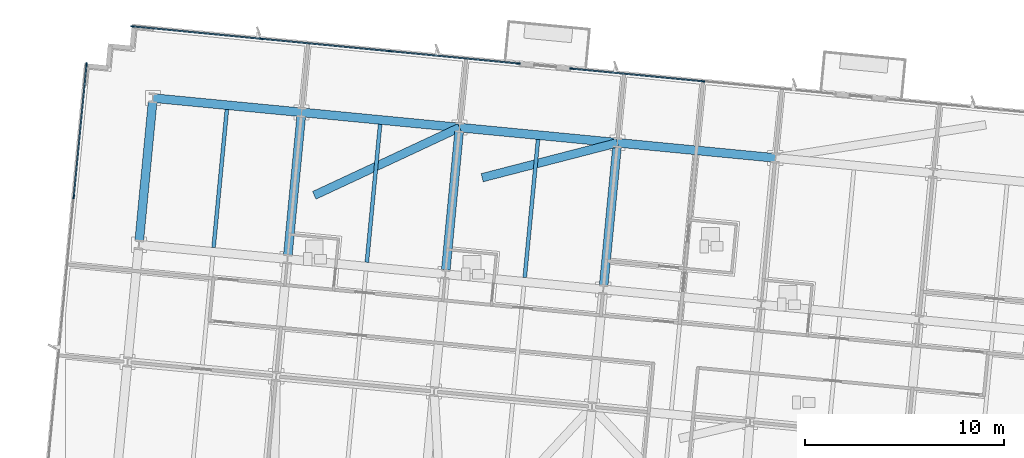
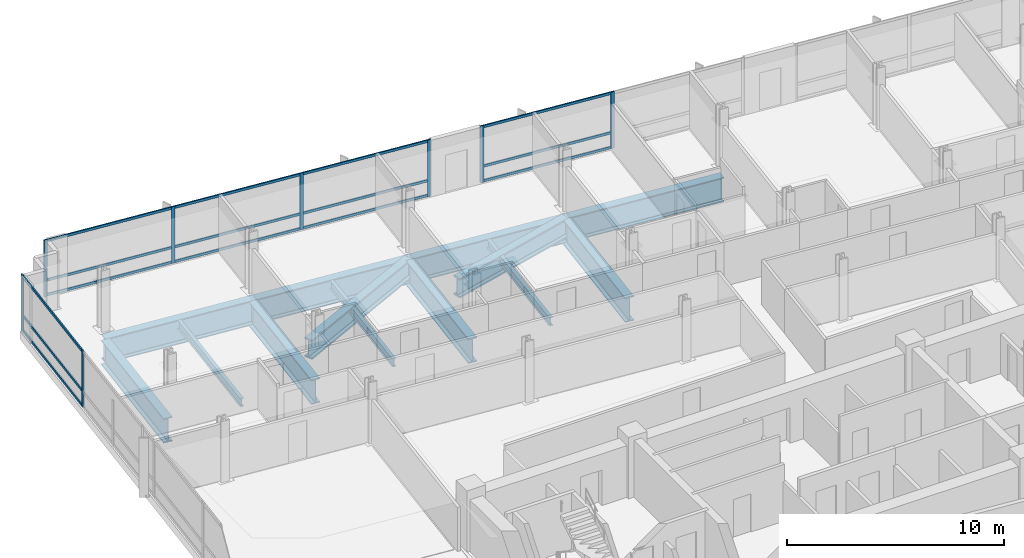
# One storey, part 7 of 18: 23 members, 13 beams, 3 elements without a shape of their own.
"""IFC4 building model written with IfcOpenShell, lengths in metres."""

import ifcopenshell
import ifcopenshell.guid

model = None  # the IFC model being written
_history = None  # IfcOwnerHistory: only IFC2X3 demands one
_inside = {}  # id of a spatial element -> (the spatial element, [elements in it])
_under = {}  # id of a project, library or spatial element -> (it, [spatial elements below it])
_declared = {}  # id of a project -> (the project, [libraries it declares])
_typed = {}  # id of a type object -> (the type object, [elements of that type])
_made_of = {}  # id of a material, layer set ... -> (it, [elements and type objects made of it])


def new_model(schema):
    """Start an empty IFC model of exactly this schema.

    Asked for "IFC4X3", IfcOpenShell would pick the latest addendum, in which some entities
    have other attributes; the version numbers below select the first issue.
    IFC2X3 requires an IfcOwnerHistory on every rooted entity: one is made here for all.
    """
    global model, _history
    if schema == "IFC4X3":
        model = ifcopenshell.file(schema_version=(4, 3, 0, 0))
    else:
        model = ifcopenshell.file(schema=schema)
    _inside.clear()
    _under.clear()
    _declared.clear()
    _typed.clear()
    _made_of.clear()
    _history = None
    if model.schema == "IFC2X3":
        org = make("IfcOrganization", Name="unknown")
        user = make(
            "IfcPersonAndOrganization",
            ThePerson=make("IfcPerson", FamilyName="unknown"),
            TheOrganization=org,
        )
        app = make(
            "IfcApplication",
            ApplicationDeveloper=org,
            Version="unknown",
            ApplicationFullName="unknown",
            ApplicationIdentifier="unknown",
        )
        _history = make(
            "IfcOwnerHistory",
            OwningUser=user,
            OwningApplication=app,
            ChangeAction="ADDED",
            CreationDate=0,
        )
    return model


def make(cls, **values):
    """One entity of the class cls with the attributes given. An attribute that is None is left unset."""
    return model.create_entity(
        cls, **{name: value for name, value in values.items() if value is not None}
    )


def rooted(cls, **values):
    """An entity with a GlobalId (a new one), such as an element, a storey or a relation."""
    return make(cls, GlobalId=ifcopenshell.guid.new(), OwnerHistory=_history, **values)


def si_unit(unit_type, name, prefix=None):
    """IfcSIUnit, for example si_unit("LENGTHUNIT", "METRE", prefix="MILLI")."""
    return make("IfcSIUnit", UnitType=unit_type, Prefix=prefix, Name=name)


def assignment(units):
    """IfcUnitAssignment: the units of a project."""
    return None if units is None else make("IfcUnitAssignment", Units=units)


def point(xyz):
    """IfcCartesianPoint."""
    return None if xyz is None else make("IfcCartesianPoint", Coordinates=xyz)


def direction(xyz):
    """IfcDirection."""
    return None if xyz is None else make("IfcDirection", DirectionRatios=xyz)


def frame(location, z_axis=None, x_axis=None):
    """IfcAxis2Placement3D, a coordinate frame: its origin and axes. An axis left out is left unset."""
    return make(
        "IfcAxis2Placement3D",
        Location=point(location),
        Axis=direction(z_axis),
        RefDirection=direction(x_axis),
    )


def frame_2d(location, x_axis=None):
    """IfcAxis2Placement2D, a coordinate frame in the plane: its origin and x axis."""
    return make(
        "IfcAxis2Placement2D", Location=point(location), RefDirection=direction(x_axis)
    )


def origin():
    """The frame at (0, 0, 0) with its axes left unset."""
    return frame((0.0, 0.0, 0.0))


def origin_2d():
    """The frame at (0, 0) in the plane with its x axis left unset."""
    return frame_2d((0.0, 0.0))


def place(relative_to, where):
    """IfcLocalPlacement: puts the frame where relative to a parent placement (None: the world)."""
    return make(
        "IfcLocalPlacement", PlacementRelTo=relative_to, RelativePlacement=where
    )


def context(
    kind, dimensions, precision=None, world=None, true_north=None, identifier=None
):
    """IfcGeometricRepresentationContext, for example the 3D "Model" context."""
    return make(
        "IfcGeometricRepresentationContext",
        ContextIdentifier=identifier,
        ContextType=kind,
        CoordinateSpaceDimension=dimensions,
        Precision=precision,
        WorldCoordinateSystem=world,
        TrueNorth=true_north,
    )


def subcontext(parent, identifier, kind, view, scale=None):
    """IfcGeometricRepresentationSubContext, for example "Body" below "Model"."""
    return make(
        "IfcGeometricRepresentationSubContext",
        ContextIdentifier=identifier,
        ContextType=kind,
        ParentContext=parent,
        TargetScale=scale,
        TargetView=view,
    )


def project(units=None, contexts=None):
    """IfcProject with its units and contexts."""
    return rooted(
        "IfcProject",
        Name="project",
        RepresentationContexts=contexts,
        UnitsInContext=assignment(units),
    )


def spatial(cls, under=None, at=None, **own):
    """A site, building, storey or space (cls), placed at a placement, below another one or the project."""
    s = rooted(cls, ObjectPlacement=at, **own)
    if under is not None:
        _under.setdefault(under.id(), (under, []))[1].append(s)
    return s


def profile(cls, at=None, kind="AREA", **sizes):
    """A parametric profile (cls). Its sizes go by their IFC names, for example OverallWidth=200.0."""
    return make(cls, ProfileType=kind, Position=at, **sizes)


def rectangle(**sizes):
    """IfcRectangleProfileDef."""
    return profile("IfcRectangleProfileDef", **sizes)


def i_section(**sizes):
    """IfcIShapeProfileDef."""
    return profile("IfcIShapeProfileDef", **sizes)


def extrude(swept, where, along, depth):
    """IfcExtrudedAreaSolid: the profile swept, set in the frame where, extruded along a direction by depth."""
    return make(
        "IfcExtrudedAreaSolid",
        SweptArea=swept,
        Position=where,
        ExtrudedDirection=direction(along),
        Depth=depth,
    )


def shape(context_of_items, identifier, shape_type, items):
    """IfcShapeRepresentation: the items that make up one representation, for example the "Body"."""
    return make(
        "IfcShapeRepresentation",
        ContextOfItems=context_of_items,
        RepresentationIdentifier=identifier,
        RepresentationType=shape_type,
        Items=items,
    )


def material(Name=None, Category=None):
    """IfcMaterial."""
    return make("IfcMaterial", Name=Name, Category=Category)


def material_profile(
    of_material, cross_section, Name=None, Category=None, Priority=None
):
    """IfcMaterialProfile: a cross section and its material."""
    return make(
        "IfcMaterialProfile",
        Name=Name,
        Material=of_material,
        Profile=cross_section,
        Priority=Priority,
        Category=Category,
    )


def profile_set(profiles, Name=None, composite=None):
    """IfcMaterialProfileSet."""
    return make(
        "IfcMaterialProfileSet",
        Name=Name,
        MaterialProfiles=profiles,
        CompositeProfile=composite,
    )


def made_of(thing, what):
    """Note that an element or type object is made of a material, layer set ...; save() writes the relation."""
    if what is not None:
        _made_of.setdefault(what.id(), (what, []))[1].append(thing)
    return thing


def type_object(cls, material=None, **own):
    """A type object (cls), such as IfcWallType, which elements share."""
    return made_of(rooted(cls, **own), material)


def element(
    cls,
    number,
    at=None,
    inside=None,
    cuts=None,
    type_object=None,
    material=None,
    context=None,
    identifier="Body",
    shape_type=None,
    held_by="IfcProductDefinitionShape",
    body=None,
    shapes=None,
    **own,
):
    """One element of the class cls, such as IfcWall. Its Tag is "e" and its number.

    at: its placement. inside: the storey or other place that contains it. cuts: it is an
    opening in that element (IfcRelVoidsElement). A single representation is given by context,
    identifier, shape_type and body (its items); several are given by shapes. held_by: the class
    of the entity that holds the representations. save() writes the other relations.
    """
    e = rooted(cls, Tag="e%d" % number, ObjectPlacement=at, **own)
    if body is not None:
        shapes = [shape(context, identifier, shape_type, body)]
    if shapes is not None:
        e.Representation = make(held_by, Representations=shapes)
    if inside is not None:
        _inside.setdefault(inside.id(), (inside, []))[1].append(e)
    if cuts is not None:
        rooted(
            "IfcRelVoidsElement", RelatingBuildingElement=cuts, RelatedOpeningElement=e
        )
    if type_object is not None:
        _typed.setdefault(type_object.id(), (type_object, []))[1].append(e)
    return made_of(e, material)


def aggregate(whole, parts):
    """IfcRelAggregates: a whole, such as a stair, and the parts it consists of."""
    return rooted("IfcRelAggregates", RelatingObject=whole, RelatedObjects=parts)


def save(model, path):
    """Write the relations noted so far, then the file.

    IfcRelAggregates (storeys below a building ...), IfcRelContainedInSpatialStructure (elements
    in a storey), IfcRelDefinesByType, IfcRelAssociatesMaterial and IfcRelDeclares: one each for
    every whole, place, type object, material and project.
    """
    for whole, parts in _under.values():
        aggregate(whole, parts)
    for where, things in _inside.values():
        rooted(
            "IfcRelContainedInSpatialStructure",
            RelatedElements=things,
            RelatingStructure=where,
        )
    for kind, things in _typed.values():
        rooted("IfcRelDefinesByType", RelatedObjects=things, RelatingType=kind)
    for what, things in _made_of.values():
        rooted("IfcRelAssociatesMaterial", RelatedObjects=things, RelatingMaterial=what)
    for by, libraries in _declared.values():
        rooted("IfcRelDeclares", RelatingContext=by, RelatedDefinitions=libraries)
    model.write(path)


model = new_model("IFC4")

# Units and contexts
model_context = context("Model", 3, precision=1e-05, world=origin(), true_north=direction((0.0, 1.0)))
body_context = subcontext(model_context, "Body", "Model", "MODEL_VIEW")
ifc_project = project(units=[si_unit("LENGTHUNIT", "METRE"), si_unit("AREAUNIT", "SQUARE_METRE"), si_unit("VOLUMEUNIT", "CUBIC_METRE"), si_unit("PLANEANGLEUNIT", "RADIAN"), si_unit("MASSUNIT", "GRAM", prefix="KILO")], contexts=[model_context])

# Site, building, storey
site_placement = place(None, origin())
site = spatial("IfcSite", under=ifc_project, at=site_placement, CompositionType="ELEMENT")
building_placement = place(site_placement, origin())
building = spatial("IfcBuilding", under=site, at=building_placement, Name="Solmavex Isthmus Hotel", CompositionType="ELEMENT")
storey_placement = place(building_placement, frame((0.0, 0.0, 135.89990234375)))
storey = spatial("IfcBuildingStorey", under=building, at=storey_placement, Name="L36", CompositionType="ELEMENT", Elevation=135.89990234375)

# Beams
ifc_material_1 = material(Name="Steel ASTM A992 Grade 50", Category="steel")
ifc_material_profile_1 = material_profile(ifc_material_1, i_section(OverallWidth=0.1904296875, OverallDepth=0.456787109375, WebThickness=0.009033203125, FlangeThickness=0.014404296875, FilletRadius=0.0126953125, at=origin_2d()), Name="W18X50")
ifc_profile_set_1 = profile_set([ifc_material_profile_1], Name="Steel ASTM A992 Grade 50")
beam_type_1 = type_object("IfcBeamType", Name="BM-BJ-W18X50", PredefinedType="JOIST", material=ifc_profile_set_1)
beam_1_placement = place(storey_placement, frame((-18.976806640625, 13.47412109375, -0.678466796875), z_axis=(0.095838209406, 0.995396924658, 0.0), x_axis=(-0.995396924658, 0.095838209406, 0.0)))
element("IfcBeam", 1, at=beam_1_placement, inside=storey, type_object=beam_type_1, Name="Secondary Floor Joist L36-J03", PredefinedType="JOIST", context=body_context, shape_type="SweptSolid", body=[
    extrude(i_section(OverallWidth=0.1904296875, OverallDepth=0.456787109375, WebThickness=0.009033203125, FlangeThickness=0.014404296875, FilletRadius=0.0126953125, at=origin_2d()), origin(), (0.0, 0.0, 1.0), 6.951904296875),
])
beam_2_placement = place(storey_placement, frame((-11.29052734375, 12.73388671875, -0.678466796875), z_axis=(0.095869653831, 0.995393896643, 0.0), x_axis=(-0.995393896643, 0.095869653831, 0.0)))
element("IfcBeam", 2, at=beam_2_placement, inside=storey, type_object=beam_type_1, Name="Secondary Floor Joist L36-J06", PredefinedType="JOIST", context=body_context, shape_type="SweptSolid", body=[
    extrude(i_section(OverallWidth=0.1904296875, OverallDepth=0.456787109375, WebThickness=0.009033203125, FlangeThickness=0.014404296875, FilletRadius=0.0126953125, at=origin_2d()), origin(), (0.0, 0.0, 1.0), 6.9521484375),
])
beam_3_placement = place(storey_placement, frame((-3.37109375, 11.971435546875, -0.678466796875), z_axis=(0.095838209406, 0.995396924658, 0.0), x_axis=(-0.995396924658, 0.095838209406, 0.0)))
element("IfcBeam", 3, at=beam_3_placement, inside=storey, type_object=beam_type_1, Name="Secondary Floor Joist L36-J09", PredefinedType="JOIST", context=body_context, shape_type="SweptSolid", body=[
    extrude(i_section(OverallWidth=0.1904296875, OverallDepth=0.456787109375, WebThickness=0.009033203125, FlangeThickness=0.014404296875, FilletRadius=0.0126953125, at=origin_2d()), origin(), (0.0, 0.0, 1.0), 6.951904296875),
])
ifc_material_2 = material(Name="Steel ASTM A913 Grade 65", Category="steel")
ifc_material_profile_2 = material_profile(ifc_material_2, i_section(OverallWidth=0.42431640625, OverallDepth=1.09228515625, WebThickness=0.04541015625, FlangeThickness=0.08203125, FilletRadius=0.030517578125, at=origin_2d()), Name="W40X593")
ifc_profile_set_2 = profile_set([ifc_material_profile_2], Name="Steel ASTM A913 Grade 65")
beam_type_2 = type_object("IfcBeamType", Name="BM-TB-W40X397", PredefinedType="BEAM", material=ifc_profile_set_2)
beam_4_placement = place(storey_placement, frame((-13.927490234375, 16.091552734375, -0.99609375), z_axis=(0.906142013258, 0.422973582874, 0.0), x_axis=(-0.422973582874, 0.906142013258, 0.0)))
element("IfcBeam", 4, at=beam_4_placement, inside=storey, type_object=beam_type_2, Name="Core Outrigger Strut L35-OTN1", PredefinedType="BEAM", context=body_context, shape_type="SweptSolid", body=[
    extrude(i_section(OverallWidth=0.42431640625, OverallDepth=1.09228515625, WebThickness=0.04541015625, FlangeThickness=0.08203125, FilletRadius=0.030517578125, at=origin_2d()), origin(), (0.0, 0.0, 1.0), 8.03857421875),
])
beam_5_placement = place(storey_placement, frame((-5.5078125, 16.9765625, -0.99609375), z_axis=(0.968216921425, 0.250111961061, 0.0), x_axis=(-0.250111961061, 0.968216921425, 0.0)))
element("IfcBeam", 5, at=beam_5_placement, inside=storey, type_object=beam_type_2, Name="Core Outrigger Strut L35-OTN2", PredefinedType="BEAM", context=body_context, shape_type="SweptSolid", body=[
    extrude(i_section(OverallWidth=0.42431640625, OverallDepth=1.09228515625, WebThickness=0.04541015625, FlangeThickness=0.08203125, FilletRadius=0.030517578125, at=origin_2d()), origin(), (0.0, 0.0, 1.0), 7.006591796875),
])
ifc_material_3 = material(Name="Steel ASTM A572 Grade 50", Category="steel")
ifc_material_profile_3 = material_profile(ifc_material_3, i_section(OverallWidth=0.43994140625, OverallDepth=1.3798828125, WebThickness=0.030029296875, FlangeThickness=0.054931640625, FilletRadius=0.030517578125, at=origin_2d()), Name="I1380X440")
ifc_profile_set_3 = profile_set([ifc_material_profile_3], Name="Steel ASTM A572 Grade 50")
beam_type_3 = type_object("IfcBeamType", Name="BM-TG-I1380", PredefinedType="BEAM", material=ifc_profile_set_3)
beam_6_placement = place(storey_placement, frame((-22.016357421875, 20.971923828125, -1.139892578125), z_axis=(0.995395279593, -0.095855293875, 0.0), x_axis=(0.095855293875, 0.995395279593, 0.0)))
element("IfcBeam", 6, at=beam_6_placement, inside=storey, type_object=beam_type_3, Name="Outrigger Collector Girder L36-UG15", PredefinedType="BEAM", context=body_context, shape_type="SweptSolid", body=[
    extrude(i_section(OverallWidth=0.43994140625, OverallDepth=1.3798828125, WebThickness=0.030029296875, FlangeThickness=0.054931640625, FilletRadius=0.030517578125, at=origin_2d()), origin(), (0.0, 0.0, 1.0), 7.488037109375),
])
for number, where, z_axis, x_axis, name in (
    (7, (-14.562744140625, 20.254150390625, -1.139892578125), (0.995397440011, -0.095832856685, 0.0), (0.095832856685, 0.995397440011, 0.0), "Outrigger Collector Girder L36-UG16"),
    (8, (-6.643310546875, 19.49169921875, -1.139892578125), (0.995394512348, -0.095863260885, 0.0), (0.095863260885, 0.995394512348, 0.0), "Outrigger Collector Girder L36-UG17"),
):
    element("IfcBeam", number, at=place(storey_placement, frame(where, z_axis=z_axis, x_axis=x_axis)), inside=storey, type_object=beam_type_3, Name=name, PredefinedType="BEAM", context=body_context, shape_type="SweptSolid", body=[
        extrude(i_section(OverallWidth=0.43994140625, OverallDepth=1.3798828125, WebThickness=0.030029296875, FlangeThickness=0.054931640625, FilletRadius=0.030517578125, at=origin_2d()), origin(), (0.0, 0.0, 1.0), 7.9560546875),
    ])
beam_7_placement = place(storey_placement, frame((1.276123046875, 18.72900390625, -1.139892578125), z_axis=(0.995397158178, -0.095835783981, 0.0), x_axis=(0.095835783981, 0.995397158178, 0.0)))
element("IfcBeam", 9, at=beam_7_placement, inside=storey, type_object=beam_type_3, Name="Outrigger Collector Girder L36-UG18", PredefinedType="BEAM", context=body_context, shape_type="SweptSolid", body=[
    extrude(i_section(OverallWidth=0.43994140625, OverallDepth=1.3798828125, WebThickness=0.030029296875, FlangeThickness=0.054931640625, FilletRadius=0.030517578125, at=origin_2d()), origin(), (0.0, 0.0, 1.0), 7.955810546875),
])
for number, where, z_axis, x_axis, name in (
    (10, (-22.70361328125, 13.8330078125, -1.139892578125), (0.095838209406, 0.995396924658, 0.0), (-0.995396924658, 0.095838209406, 0.0), "Outrigger Collector Beam L36-VG23"),
    (11, (-15.250244140625, 13.115234375, -1.139892578125), (0.095873005103, 0.995393573865, 0.0), (-0.995393573865, 0.095873005103, 0.0), "Outrigger Collector Beam L36-VG26"),
    (12, (-7.330810546875, 12.352783203125, -1.139892578125), (0.095838209406, 0.995396924658, 0.0), (-0.995396924658, 0.095838209406, 0.0), "Outrigger Collector Beam L36-VG29"),
    (13, (0.588623046875, 11.590087890625, -1.139892578125), (0.095838209406, 0.995396924658, 0.0), (-0.995396924658, 0.095838209406, 0.0), "Outrigger Collector Beam L36-VG32"),
):
    element("IfcBeam", number, at=place(storey_placement, frame(where, z_axis=z_axis, x_axis=x_axis)), inside=storey, type_object=beam_type_3, Name=name, PredefinedType="BEAM", context=body_context, shape_type="SweptSolid", body=[
        extrude(i_section(OverallWidth=0.43994140625, OverallDepth=1.3798828125, WebThickness=0.030029296875, FlangeThickness=0.054931640625, FilletRadius=0.030517578125, at=origin_2d()), origin(), (0.0, 0.0, 1.0), 6.951904296875),
    ])

# Curtain wall, members
ifc_material_4 = material(Name="Aluminium alloy 6063-T6", Category="aluminium")
curtain_wall_type = type_object("IfcCurtainWallType", Name="CW-SYS-03", PredefinedType="NOTDEFINED", material=ifc_material_4)
curtain_wall_1_placement = place(storey_placement, origin())
curtain_wall_1 = element("IfcCurtainWall", 14, at=curtain_wall_1_placement, inside=storey, type_object=curtain_wall_type, Name="Stick Curtain Wall CWL-L36-N1", PredefinedType="NOTDEFINED")
ifc_material_profile_4 = material_profile(ifc_material_4, rectangle(XDim=0.070068359375, YDim=0.179931640625, at=origin_2d()), Name="CWM-70X180")
ifc_profile_set_4 = profile_set([ifc_material_profile_4], Name="Aluminium alloy 6063-T6")
member_type_1 = type_object("IfcMemberType", Name="CW-SYS-03-MUL", PredefinedType="MULLION", material=ifc_profile_set_4)
member_1_placement = place(storey_placement, frame((-23.04150390625, 24.566650390625, 0.0), z_axis=(0.0, 0.0, 1.0), x_axis=(0.095845686434, 0.995396204731, 0.0)))
member_1 = element("IfcMember", 15, at=member_1_placement, type_object=member_type_1, Name="CW-03 mullion 1", PredefinedType="MULLION", context=body_context, shape_type="SweptSolid", body=[
    extrude(rectangle(XDim=0.070068359375, YDim=0.179931640625, at=origin_2d()), origin(), (0.0, 0.0, 1.0), 3.190185546875),
])
member_2_placement = place(storey_placement, frame((-16.598876953125, 23.9462890625, 0.0), z_axis=(0.0, 0.0, 1.0), x_axis=(0.095845686434, 0.995396204731, 0.0)))
member_2 = element("IfcMember", 16, at=member_2_placement, type_object=member_type_1, Name="CW-03 mullion 2", PredefinedType="MULLION", context=body_context, shape_type="SweptSolid", body=[
    extrude(rectangle(XDim=0.070068359375, YDim=0.179931640625, at=origin_2d()), origin(), (0.0, 0.0, 1.0), 3.190185546875),
])
member_3_placement = place(storey_placement, frame((-10.12158203125, 23.32275390625, 0.0), z_axis=(0.0, 0.0, 1.0), x_axis=(0.095845686434, 0.995396204731, 0.0)))
member_3 = element("IfcMember", 17, at=member_3_placement, type_object=member_type_1, Name="CW-03 mullion 3", PredefinedType="MULLION", context=body_context, shape_type="SweptSolid", body=[
    extrude(rectangle(XDim=0.070068359375, YDim=0.179931640625, at=origin_2d()), origin(), (0.0, 0.0, 1.0), 3.190185546875),
])
member_4_placement = place(storey_placement, frame((-3.678955078125, 22.702392578125, 0.0), z_axis=(0.0, 0.0, 1.0), x_axis=(0.095845686434, 0.995396204731, 0.0)))
member_4 = element("IfcMember", 18, at=member_4_placement, type_object=member_type_1, Name="CW-03 mullion 4", PredefinedType="MULLION", context=body_context, shape_type="SweptSolid", body=[
    extrude(rectangle(XDim=0.070068359375, YDim=0.179931640625, at=origin_2d()), origin(), (0.0, 0.0, 1.0), 3.190185546875),
])

curtain_wall_2_placement = place(storey_placement, origin())
curtain_wall_2 = element("IfcCurtainWall", 19, at=curtain_wall_2_placement, inside=storey, type_object=curtain_wall_type, Name="Stick Curtain Wall CWL-L36-N2", PredefinedType="NOTDEFINED")
member_5_placement = place(storey_placement, frame((-1.021240234375, 22.4462890625, 0.0), z_axis=(0.0, 0.0, 1.0), x_axis=(0.095845138178, 0.995396257521, 0.0)))
member_5 = element("IfcMember", 20, at=member_5_placement, type_object=member_type_1, Name="CW-03 mullion 1", PredefinedType="MULLION", context=body_context, shape_type="SweptSolid", body=[
    extrude(rectangle(XDim=0.070068359375, YDim=0.179931640625, at=origin_2d()), origin(), (0.0, 0.0, 1.0), 3.190185546875),
])
member_6_placement = place(storey_placement, frame((5.5693359375, 21.811767578125, 0.0), z_axis=(0.0, 0.0, 1.0), x_axis=(0.095845138178, 0.995396257521, 0.0)))
member_6 = element("IfcMember", 21, at=member_6_placement, type_object=member_type_1, Name="CW-03 mullion 2", PredefinedType="MULLION", context=body_context, shape_type="SweptSolid", body=[
    extrude(rectangle(XDim=0.070068359375, YDim=0.179931640625, at=origin_2d()), origin(), (0.0, 0.0, 1.0), 3.190185546875),
])

curtain_wall_3_placement = place(storey_placement, origin())
curtain_wall_3 = element("IfcCurtainWall", 22, at=curtain_wall_3_placement, inside=storey, type_object=curtain_wall_type, Name="Stick Curtain Wall CWL-L36-W1", PredefinedType="NOTDEFINED")
member_7_placement = place(storey_placement, frame((-25.990234375, 16.010009765625, 0.0), z_axis=(0.0, 0.0, 1.0), x_axis=(-0.995396190038, 0.09584583902, 0.0)))
member_7 = element("IfcMember", 23, at=member_7_placement, type_object=member_type_1, Name="CW-03 mullion 5", PredefinedType="MULLION", context=body_context, shape_type="SweptSolid", body=[
    extrude(rectangle(XDim=0.070068359375, YDim=0.179931640625, at=origin_2d()), origin(), (0.0, 0.0, 1.0), 3.190185546875),
])
member_8_placement = place(storey_placement, frame((-25.349365234375, 22.6640625, 0.0), z_axis=(0.0, 0.0, 1.0), x_axis=(-0.995396190038, 0.09584583902, 0.0)))
member_8 = element("IfcMember", 24, at=member_8_placement, type_object=member_type_1, Name="CW-03 mullion 6", PredefinedType="MULLION", context=body_context, shape_type="SweptSolid", body=[
    extrude(rectangle(XDim=0.070068359375, YDim=0.179931640625, at=origin_2d()), origin(), (0.0, 0.0, 1.0), 3.190185546875),
])

# Member
ifc_material_profile_5 = material_profile(ifc_material_4, rectangle(XDim=0.070068359375, YDim=0.139892578125, at=origin_2d()), Name="CWT-70X140")
ifc_profile_set_5 = profile_set([ifc_material_profile_5], Name="Aluminium alloy 6063-T6")
member_type_2 = type_object("IfcMemberType", Name="CW-SYS-03-TRN", PredefinedType="USERDEFINED", material=ifc_profile_set_5)
member_9_placement = place(storey_placement, frame((-23.006591796875, 24.563232421875, 0.070068359375), z_axis=(0.995397773623, -0.095829391454, 0.0), x_axis=(0.095829391454, 0.995397773623, 0.0)))
member_9 = element("IfcMember", 25, at=member_9_placement, type_object=member_type_2, Name="CW-03 transom 1.1", ObjectType="TRANSOM", PredefinedType="USERDEFINED", context=body_context, shape_type="SweptSolid", body=[
    extrude(rectangle(XDim=0.070068359375, YDim=0.139892578125, at=origin_2d()), origin(), (0.0, 0.0, 1.0), 6.40234375),
])

member_10_placement = place(storey_placement, frame((-23.006591796875, 24.563232421875, 0.900146484375), z_axis=(0.995397773623, -0.095829391454, 0.0), x_axis=(0.095829391454, 0.995397773623, 0.0)))
member_10 = element("IfcMember", 26, at=member_10_placement, type_object=member_type_2, Name="CW-03 transom 1.2", ObjectType="TRANSOM", PredefinedType="USERDEFINED", context=body_context, shape_type="SweptSolid", body=[
    extrude(rectangle(XDim=0.070068359375, YDim=0.139892578125, at=origin_2d()), origin(), (0.0, 0.0, 1.0), 6.40234375),
])

member_11_placement = place(storey_placement, frame((-23.006591796875, 24.563232421875, 3.1201171875), z_axis=(0.995397773623, -0.095829391454, 0.0), x_axis=(0.095829391454, 0.995397773623, 0.0)))
member_11 = element("IfcMember", 27, at=member_11_placement, type_object=member_type_2, Name="CW-03 transom 1.3", ObjectType="TRANSOM", PredefinedType="USERDEFINED", context=body_context, shape_type="SweptSolid", body=[
    extrude(rectangle(XDim=0.070068359375, YDim=0.139892578125, at=origin_2d()), origin(), (0.0, 0.0, 1.0), 6.40234375),
])

member_12_placement = place(storey_placement, frame((-16.56396484375, 23.943115234375, 0.070068359375), z_axis=(0.995393311839, -0.095875725533, 0.0), x_axis=(0.095875725533, 0.995393311839, 0.0)))
member_12 = element("IfcMember", 28, at=member_12_placement, type_object=member_type_2, Name="CW-03 transom 2.1", ObjectType="TRANSOM", PredefinedType="USERDEFINED", context=body_context, shape_type="SweptSolid", body=[
    extrude(rectangle(XDim=0.070068359375, YDim=0.139892578125, at=origin_2d()), origin(), (0.0, 0.0, 1.0), 6.437255859375),
])

member_13_placement = place(storey_placement, frame((-16.56396484375, 23.943115234375, 0.900146484375), z_axis=(0.995393311839, -0.095875725533, 0.0), x_axis=(0.095875725533, 0.995393311839, 0.0)))
member_13 = element("IfcMember", 29, at=member_13_placement, type_object=member_type_2, Name="CW-03 transom 2.2", ObjectType="TRANSOM", PredefinedType="USERDEFINED", context=body_context, shape_type="SweptSolid", body=[
    extrude(rectangle(XDim=0.070068359375, YDim=0.139892578125, at=origin_2d()), origin(), (0.0, 0.0, 1.0), 6.437255859375),
])

member_14_placement = place(storey_placement, frame((-16.56396484375, 23.943115234375, 3.1201171875), z_axis=(0.995393311839, -0.095875725533, 0.0), x_axis=(0.095875725533, 0.995393311839, 0.0)))
member_14 = element("IfcMember", 30, at=member_14_placement, type_object=member_type_2, Name="CW-03 transom 2.3", ObjectType="TRANSOM", PredefinedType="USERDEFINED", context=body_context, shape_type="SweptSolid", body=[
    extrude(rectangle(XDim=0.070068359375, YDim=0.139892578125, at=origin_2d()), origin(), (0.0, 0.0, 1.0), 6.437255859375),
])

member_15_placement = place(storey_placement, frame((-10.086669921875, 23.3193359375, 0.070068359375), z_axis=(0.995394135431, -0.095867174519, 0.0), x_axis=(0.095867174519, 0.995394135431, 0.0)))
member_15 = element("IfcMember", 31, at=member_15_placement, type_object=member_type_2, Name="CW-03 transom 3.1", ObjectType="TRANSOM", PredefinedType="USERDEFINED", context=body_context, shape_type="SweptSolid", body=[
    extrude(rectangle(XDim=0.070068359375, YDim=0.139892578125, at=origin_2d()), origin(), (0.0, 0.0, 1.0), 6.40234375),
])

member_16_placement = place(storey_placement, frame((-10.086669921875, 23.3193359375, 0.900146484375), z_axis=(0.995394135431, -0.095867174519, 0.0), x_axis=(0.095867174519, 0.995394135431, 0.0)))
member_16 = element("IfcMember", 32, at=member_16_placement, type_object=member_type_2, Name="CW-03 transom 3.2", ObjectType="TRANSOM", PredefinedType="USERDEFINED", context=body_context, shape_type="SweptSolid", body=[
    extrude(rectangle(XDim=0.070068359375, YDim=0.139892578125, at=origin_2d()), origin(), (0.0, 0.0, 1.0), 6.40234375),
])

member_17_placement = place(storey_placement, frame((-10.086669921875, 23.3193359375, 3.1201171875), z_axis=(0.995394135431, -0.095867174519, 0.0), x_axis=(0.095867174519, 0.995394135431, 0.0)))
member_17 = element("IfcMember", 33, at=member_17_placement, type_object=member_type_2, Name="CW-03 transom 3.3", ObjectType="TRANSOM", PredefinedType="USERDEFINED", context=body_context, shape_type="SweptSolid", body=[
    extrude(rectangle(XDim=0.070068359375, YDim=0.139892578125, at=origin_2d()), origin(), (0.0, 0.0, 1.0), 6.40234375),
])

aggregate(curtain_wall_1, [member_1, member_2, member_3, member_4, member_9, member_10, member_11, member_12, member_13, member_14, member_15, member_16, member_17])

member_18_placement = place(storey_placement, frame((-0.986328125, 22.443115234375, 0.070068359375), z_axis=(0.995395431006, -0.095853721538, 0.0), x_axis=(0.095853721538, 0.995395431006, 0.0)))
member_18 = element("IfcMember", 34, at=member_18_placement, type_object=member_type_2, Name="CW-03 transom 1.1", ObjectType="TRANSOM", PredefinedType="USERDEFINED", context=body_context, shape_type="SweptSolid", body=[
    extrude(rectangle(XDim=0.070068359375, YDim=0.139892578125, at=origin_2d()), origin(), (0.0, 0.0, 1.0), 6.551025390625),
])

member_19_placement = place(storey_placement, frame((-0.986328125, 22.443115234375, 0.900146484375), z_axis=(0.995395431006, -0.095853721538, 0.0), x_axis=(0.095853721538, 0.995395431006, 0.0)))
member_19 = element("IfcMember", 35, at=member_19_placement, type_object=member_type_2, Name="CW-03 transom 1.2", ObjectType="TRANSOM", PredefinedType="USERDEFINED", context=body_context, shape_type="SweptSolid", body=[
    extrude(rectangle(XDim=0.070068359375, YDim=0.139892578125, at=origin_2d()), origin(), (0.0, 0.0, 1.0), 6.551025390625),
])

member_20_placement = place(storey_placement, frame((-0.986328125, 22.443115234375, 3.1201171875), z_axis=(0.995395431006, -0.095853721538, 0.0), x_axis=(0.095853721538, 0.995395431006, 0.0)))
member_20 = element("IfcMember", 36, at=member_20_placement, type_object=member_type_2, Name="CW-03 transom 1.3", ObjectType="TRANSOM", PredefinedType="USERDEFINED", context=body_context, shape_type="SweptSolid", body=[
    extrude(rectangle(XDim=0.070068359375, YDim=0.139892578125, at=origin_2d()), origin(), (0.0, 0.0, 1.0), 6.551025390625),
])

aggregate(curtain_wall_2, [member_5, member_6, member_18, member_19, member_20])

member_21_placement = place(storey_placement, frame((-25.98681640625, 16.044677734375, 0.070068359375), z_axis=(0.095845316679, 0.995396240334, 0.0), x_axis=(-0.995396240334, 0.095845316679, 0.0)))
member_21 = element("IfcMember", 37, at=member_21_placement, type_object=member_type_2, Name="CW-03 transom 5.1", ObjectType="TRANSOM", PredefinedType="USERDEFINED", context=body_context, shape_type="SweptSolid", body=[
    extrude(rectangle(XDim=0.070068359375, YDim=0.139892578125, at=origin_2d()), origin(), (0.0, 0.0, 1.0), 6.615234375),
])

member_22_placement = place(storey_placement, frame((-25.98681640625, 16.044677734375, 0.900146484375), z_axis=(0.095845316679, 0.995396240334, 0.0), x_axis=(-0.995396240334, 0.095845316679, 0.0)))
member_22 = element("IfcMember", 38, at=member_22_placement, type_object=member_type_2, Name="CW-03 transom 5.2", ObjectType="TRANSOM", PredefinedType="USERDEFINED", context=body_context, shape_type="SweptSolid", body=[
    extrude(rectangle(XDim=0.070068359375, YDim=0.139892578125, at=origin_2d()), origin(), (0.0, 0.0, 1.0), 6.615234375),
])

member_23_placement = place(storey_placement, frame((-25.98681640625, 16.044677734375, 3.1201171875), z_axis=(0.095845316679, 0.995396240334, 0.0), x_axis=(-0.995396240334, 0.095845316679, 0.0)))
member_23 = element("IfcMember", 39, at=member_23_placement, type_object=member_type_2, Name="CW-03 transom 5.3", ObjectType="TRANSOM", PredefinedType="USERDEFINED", context=body_context, shape_type="SweptSolid", body=[
    extrude(rectangle(XDim=0.070068359375, YDim=0.139892578125, at=origin_2d()), origin(), (0.0, 0.0, 1.0), 6.615234375),
])

aggregate(curtain_wall_3, [member_7, member_8, member_21, member_22, member_23])

save(model, "model.ifc")
